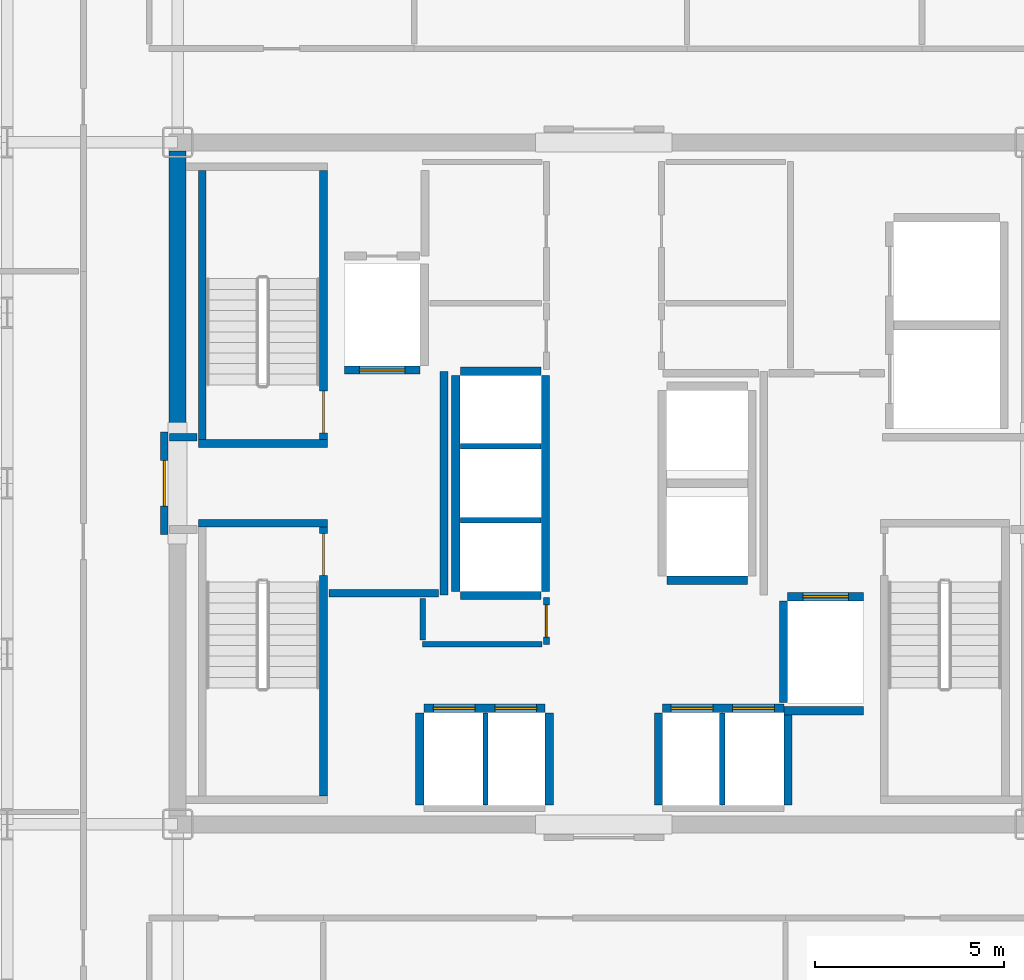
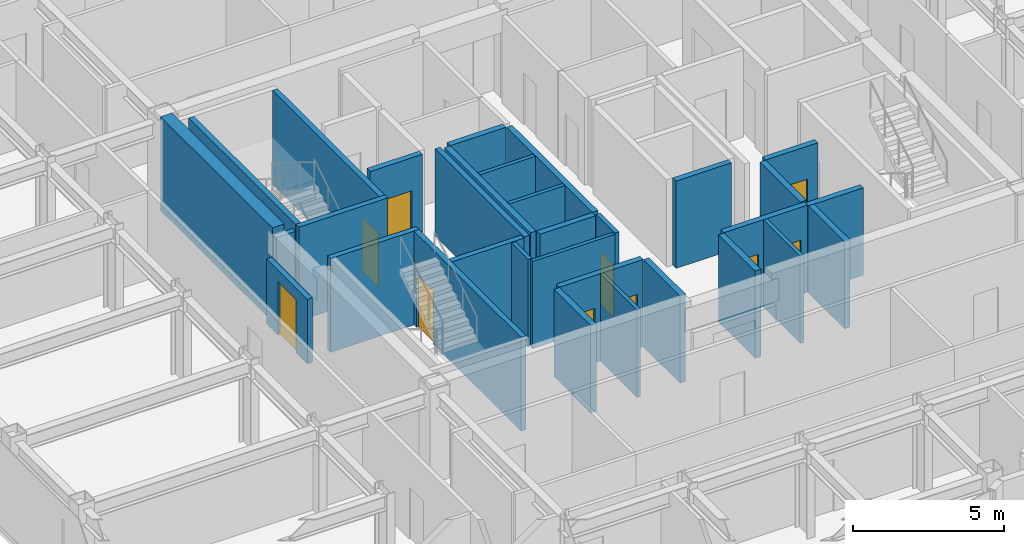
# One storey, part 15 of 21: 32 walls, 10 doors, 10 openings.
"""IFC4 building model written with IfcOpenShell, lengths in metres."""

from ifc_helpers import new_model, si_unit, direction, frame, frame_2d, origin, place, context, subcontext, project, spatial, rectangle, extrude, source, transform, mapped, material, layer, layer_set, type_object, element, fill, save


model = new_model("IFC4")

# Units and contexts
model_context = context("Model", 3, precision=1e-05, world=origin(), true_north=direction((0.0, 1.0)))
body_context = subcontext(model_context, "Body", "Model", "MODEL_VIEW")
ifc_project = project(units=[si_unit("LENGTHUNIT", "METRE"), si_unit("AREAUNIT", "SQUARE_METRE"), si_unit("VOLUMEUNIT", "CUBIC_METRE"), si_unit("PLANEANGLEUNIT", "RADIAN"), si_unit("MASSUNIT", "GRAM", prefix="KILO")], contexts=[model_context])

# Site, building, storey
site_placement = place(None, origin())
site = spatial("IfcSite", under=ifc_project, at=site_placement, CompositionType="ELEMENT")
building_placement = place(site_placement, origin())
building = spatial("IfcBuilding", under=site, at=building_placement, Name="Nefas-Gora Pilgrimage Tower", CompositionType="ELEMENT")
storey_placement = place(building_placement, frame((0.0, 0.0, 248.39990234375)))
storey = spatial("IfcBuildingStorey", under=building, at=storey_placement, Name="L62", CompositionType="ELEMENT", Elevation=248.39990234375)

# Walls
ifc_material_1 = material(Name="Concrete C50/60", Category="concrete")
ifc_layer_1 = layer(ifc_material_1, 0.449951171875)
ifc_layer_set_1 = layer_set([ifc_layer_1], Name="Concrete C50/60")
wall_type_1 = type_object("IfcWallType", Name="SW-CORE-450", PredefinedType="SHEAR", material=ifc_layer_set_1)
shared_shape_1 = source(origin(), body_context, "Body", "SweptSolid", [
    extrude(rectangle(XDim=7.4248046875, YDim=0.449951171875, at=frame_2d((3.71240234375, 0.0))), origin(), (0.0, 0.0, 1.0), 3.800048828125),
])
wall_1_placement = place(storey_placement, frame((-11.25, 1.35009765625, 0.0), z_axis=(0.0, 0.0, 1.0), x_axis=(0.0, 1.0, 0.0)))
element("IfcWall", 1, at=wall_1_placement, inside=storey, type_object=wall_type_1, Name="L62 Core Shear Wall W-North", PredefinedType="SHEAR", context=body_context, shape_type="MappedRepresentation", body=[
    mapped(shared_shape_1, transform((0.0, 0.0, 0.0), x_axis=(1.0, 0.0, 0.0), y_axis=(0.0, 1.0, 0.0), z_axis=(0.0, 0.0, 1.0), scale=1.0)),
])
ifc_material_2 = material(Name="Concrete C45/55", Category="concrete")
ifc_layer_2 = layer(ifc_material_2, 0.199951171875)
ifc_layer_set_2 = layer_set([ifc_layer_2], Name="Concrete C45/55")
wall_type_2 = type_object("IfcWallType", Name="IW-STAIR-200", PredefinedType="SOLIDWALL", material=ifc_layer_set_2)
shared_shape_2 = source(origin(), body_context, "Body", "SweptSolid", [
    extrude(rectangle(XDim=3.39990234375, YDim=0.199951171875, at=frame_2d((1.699951171875, 0.0))), origin(), (0.0, 0.0, 1.0), 3.800048828125),
])
for number, where, z_axis, x_axis, name in (
    (2, (-7.300048828125, 1.050048828125, 0.0), (0.0, 0.0, 1.0), (-1.0, 0.0, 0.0), "L62 Stairwell Shear Wall ST-01-near"),
    (3, (-10.699951171875, -1.050048828125, 0.0), (0.0, 0.0, 1.0), (1.0, 0.0, 0.0), "L62 Stairwell Shear Wall ST-03-near"),
):
    element("IfcWall", number, at=place(storey_placement, frame(where, z_axis=z_axis, x_axis=x_axis)), inside=storey, type_object=wall_type_2, Name=name, PredefinedType="SOLIDWALL", context=body_context, shape_type="MappedRepresentation", body=[
        mapped(shared_shape_2, transform((0.0, 0.0, 0.0), x_axis=(1.0, 0.0, 0.0), y_axis=(0.0, 1.0, 0.0), z_axis=(0.0, 0.0, 1.0), scale=1.0)),
    ])

# Wall, opening, door
shared_shape_3 = source(origin(), body_context, "Body", "SweptSolid", [
    extrude(rectangle(XDim=7.10009765625, YDim=0.199951171875, at=frame_2d((3.550048828125, 0.0))), origin(), (0.0, 0.0, 1.0), 3.800048828125),
])
wall_2_placement = place(storey_placement, frame((-7.39990234375, 1.14990234375, 0.0), z_axis=(0.0, 0.0, 1.0), x_axis=(0.0, 1.0, 0.0)))
wall_2 = element("IfcWall", 4, at=wall_2_placement, inside=storey, type_object=wall_type_2, Name="L62 Stairwell Shear Wall ST-01-left", PredefinedType="SOLIDWALL", context=body_context, shape_type="MappedRepresentation", body=[
    mapped(shared_shape_3, transform((0.0, 0.0, 0.0), x_axis=(1.0, 0.0, 0.0), y_axis=(0.0, 1.0, 0.0), z_axis=(0.0, 0.0, 1.0), scale=1.0)),
])
opening_1_placement = place(wall_2_placement, frame((0.179931640625, 0.0, 0.0)))
opening_1 = element("IfcOpeningElement", 5, at=opening_1_placement, cuts=wall_2, Name="Opening ID-ST1", PredefinedType="OPENING", context=body_context, shape_type="SweptSolid", body=[
    extrude(rectangle(XDim=1.10009765625, YDim=2.14990234375, at=frame_2d((0.550048828125, 1.074951171875))), frame((0.0, 0.10986328125, 0.0), z_axis=(0.0, -1.0, 0.0), x_axis=(1.0, 0.0, 0.0)), (0.0, 0.0, 1.0), 0.219970703125),
])
ifc_material_3 = material(Name="Painted galvanised steel fire stair door", Category="steel")
door_type_1 = type_object("IfcDoorType", Name="DR-INT-STAIR-1100", OperationType="NOTDEFINED", PredefinedType="DOOR", material=ifc_material_3)
shared_shape_4 = source(origin(), body_context, "Body", "SweptSolid", [
    extrude(rectangle(XDim=1.10009765625, YDim=2.14990234375, at=frame_2d((0.550048828125, 1.074951171875))), frame((0.0, 0.02490234375, 0.0), z_axis=(0.0, -1.0, 0.0), x_axis=(1.0, 0.0, 0.0)), (0.0, 0.0, 1.0), 0.050048828125),
])
door_1_placement = place(opening_1_placement, origin())
door_1 = element("IfcDoor", 6, at=door_1_placement, inside=storey, type_object=door_type_1, Name="L62 Protected Exit Stair Door ST-01", OperationType="SINGLE_SWING_RIGHT", OverallHeight=2.14990234375, OverallWidth=1.10009765625, PredefinedType="DOOR", context=body_context, shape_type="MappedRepresentation", body=[
    mapped(shared_shape_4, transform((0.0, 0.0, 0.0), x_axis=(1.0, 0.0, 0.0), y_axis=(0.0, 1.0, 0.0), z_axis=(0.0, 0.0, 1.0), scale=1.0)),
])
fill(opening_1, door_1)

# Wall
wall_3_placement = place(storey_placement, frame((-10.60009765625, 1.14990234375, 0.0), z_axis=(0.0, 0.0, 1.0), x_axis=(0.0, 1.0, 0.0)))
element("IfcWall", 7, at=wall_3_placement, inside=storey, type_object=wall_type_2, Name="L62 Stairwell Shear Wall ST-01-right", PredefinedType="SOLIDWALL", context=body_context, shape_type="MappedRepresentation", body=[
    mapped(shared_shape_3, transform((0.0, 0.0, 0.0), x_axis=(1.0, 0.0, 0.0), y_axis=(0.0, 1.0, 0.0), z_axis=(0.0, 0.0, 1.0), scale=1.0)),
])

# Wall, opening, door
wall_4_placement = place(storey_placement, frame((-7.39990234375, -1.14990234375, 0.0), z_axis=(0.0, 0.0, 1.0), x_axis=(0.0, -1.0, 0.0)))
wall_4 = element("IfcWall", 8, at=wall_4_placement, inside=storey, type_object=wall_type_2, Name="L62 Stairwell Shear Wall ST-03-right", PredefinedType="SOLIDWALL", context=body_context, shape_type="MappedRepresentation", body=[
    mapped(shared_shape_3, transform((0.0, 0.0, 0.0), x_axis=(1.0, 0.0, 0.0), y_axis=(0.0, 1.0, 0.0), z_axis=(0.0, 0.0, 1.0), scale=1.0)),
])
opening_2_placement = place(wall_4_placement, frame((0.179931640625, 0.0, 0.0)))
opening_2 = element("IfcOpeningElement", 9, at=opening_2_placement, cuts=wall_4, Name="Opening ID-ST1", PredefinedType="OPENING", context=body_context, shape_type="SweptSolid", body=[
    extrude(rectangle(XDim=1.10009765625, YDim=2.14990234375, at=frame_2d((0.550048828125, 1.074951171875))), frame((0.0, 0.10986328125, 0.0), z_axis=(0.0, -1.0, 0.0), x_axis=(1.0, 0.0, 0.0)), (0.0, 0.0, 1.0), 0.219970703125),
])
door_2_placement = place(opening_2_placement, origin())
door_2 = element("IfcDoor", 10, at=door_2_placement, inside=storey, type_object=door_type_1, Name="L62 Protected Exit Stair Door ST-03", OperationType="SINGLE_SWING_RIGHT", OverallHeight=2.14990234375, OverallWidth=1.10009765625, PredefinedType="DOOR", context=body_context, shape_type="MappedRepresentation", body=[
    mapped(shared_shape_4, transform((0.0, 0.0, 0.0), x_axis=(1.0, 0.0, 0.0), y_axis=(0.0, 1.0, 0.0), z_axis=(0.0, 0.0, 1.0), scale=1.0)),
])
fill(opening_2, door_2)

ifc_material_4 = material(Name="Concrete C40/50", Category="concrete")
ifc_layer_3 = layer(ifc_material_4, 0.219970703125)
ifc_layer_set_3 = layer_set([ifc_layer_3], Name="Concrete C40/50")
wall_type_3 = type_object("IfcWallType", Name="IW-SHAFT-220", PredefinedType="SOLIDWALL", material=ifc_layer_set_3)
shared_shape_5 = source(origin(), body_context, "Body", "SweptSolid", [
    extrude(rectangle(XDim=2.0, YDim=0.219970703125, at=frame_2d((1.0, 0.0))), origin(), (0.0, 0.0, 1.0), 3.53515625),
])
wall_5_placement = place(storey_placement, frame((-6.85009765625, 2.989990234375, 0.0), z_axis=(0.0, 0.0, 1.0), x_axis=(1.0, 0.0, 0.0)))
wall_5 = element("IfcWall", 11, at=wall_5_placement, inside=storey, type_object=wall_type_3, Name="L62 Hoistway Wall FFL-01-S", PredefinedType="SOLIDWALL", context=body_context, shape_type="MappedRepresentation", body=[
    mapped(shared_shape_5, transform((0.0, 0.0, 0.0), x_axis=(1.0, 0.0, 0.0), y_axis=(0.0, 1.0, 0.0), z_axis=(0.0, 0.0, 1.0), scale=1.0)),
])
opening_3_placement = place(wall_5_placement, frame((0.39990234375, 0.0, 0.0)))
opening_3 = element("IfcOpeningElement", 12, at=opening_3_placement, cuts=wall_5, Name="Opening LD-FF", PredefinedType="OPENING", context=body_context, shape_type="SweptSolid", body=[
    extrude(rectangle(XDim=1.199951171875, YDim=2.199951171875, at=frame_2d((0.60009765625, 1.10009765625))), frame((0.0, 0.119873046875, 0.0), z_axis=(0.0, -1.0, 0.0), x_axis=(1.0, 0.0, 0.0)), (0.0, 0.0, 1.0), 0.239990234375),
])
ifc_material_5 = material(Name="Fire-service sliding lift landing door")
door_type_2 = type_object("IfcDoorType", Name="DR-LIFT-FSAE-1200", OperationType="SLIDING_TO_LEFT", PredefinedType="DOOR", material=ifc_material_5)
shared_shape_6 = source(origin(), body_context, "Body", "SweptSolid", [
    extrude(rectangle(XDim=1.199951171875, YDim=2.199951171875, at=frame_2d((0.60009765625, 1.10009765625))), frame((0.0, 0.02490234375, 0.0), z_axis=(0.0, -1.0, 0.0), x_axis=(1.0, 0.0, 0.0)), (0.0, 0.0, 1.0), 0.050048828125),
])
door_3_placement = place(opening_3_placement, origin())
door_3 = element("IfcDoor", 13, at=door_3_placement, inside=storey, type_object=door_type_2, Name="L62 Sliding Lift Landing Door FFL-01", OperationType="SLIDING_TO_LEFT", OverallHeight=2.199951171875, OverallWidth=1.199951171875, PredefinedType="DOOR", context=body_context, shape_type="MappedRepresentation", body=[
    mapped(shared_shape_6, transform((0.0, 0.0, 0.0), x_axis=(1.0, 0.0, 0.0), y_axis=(0.0, 1.0, 0.0), z_axis=(0.0, 0.0, 1.0), scale=1.0)),
])
fill(opening_3, door_3)

wall_6_placement = place(storey_placement, frame((6.85009765625, -2.989990234375, 0.0), z_axis=(0.0, 0.0, 1.0), x_axis=(-1.0, 0.0, 0.0)))
wall_6 = element("IfcWall", 14, at=wall_6_placement, inside=storey, type_object=wall_type_3, Name="L62 Hoistway Wall FFL-02-N", PredefinedType="SOLIDWALL", context=body_context, shape_type="MappedRepresentation", body=[
    mapped(shared_shape_5, transform((0.0, 0.0, 0.0), x_axis=(1.0, 0.0, 0.0), y_axis=(0.0, 1.0, 0.0), z_axis=(0.0, 0.0, 1.0), scale=1.0)),
])
opening_4_placement = place(wall_6_placement, frame((0.39990234375, 0.0, 0.0)))
opening_4 = element("IfcOpeningElement", 15, at=opening_4_placement, cuts=wall_6, Name="Opening LD-FF", PredefinedType="OPENING", context=body_context, shape_type="SweptSolid", body=[
    extrude(rectangle(XDim=1.199951171875, YDim=2.199951171875, at=frame_2d((0.60009765625, 1.10009765625))), frame((0.0, 0.119873046875, 0.0), z_axis=(0.0, -1.0, 0.0), x_axis=(1.0, 0.0, 0.0)), (0.0, 0.0, 1.0), 0.239990234375),
])
door_4_placement = place(opening_4_placement, origin())
door_4 = element("IfcDoor", 16, at=door_4_placement, inside=storey, type_object=door_type_2, Name="L62 Sliding Lift Landing Door FFL-02", OperationType="SLIDING_TO_LEFT", OverallHeight=2.199951171875, OverallWidth=1.199951171875, PredefinedType="DOOR", context=body_context, shape_type="MappedRepresentation", body=[
    mapped(shared_shape_6, transform((0.0, 0.0, 0.0), x_axis=(1.0, 0.0, 0.0), y_axis=(0.0, 1.0, 0.0), z_axis=(0.0, 0.0, 1.0), scale=1.0)),
])
fill(opening_4, door_4)

# Wall
shared_shape_7 = source(origin(), body_context, "Body", "SweptSolid", [
    extrude(rectangle(XDim=2.679931640625, YDim=0.219970703125, at=frame_2d((1.33984375, 0.0))), origin(), (0.0, 0.0, 1.0), 3.53515625),
])
wall_7_placement = place(storey_placement, frame((4.739990234375, -3.110107421875, 0.0), z_axis=(0.0, 0.0, 1.0), x_axis=(0.0, -1.0, 0.0)))
element("IfcWall", 17, at=wall_7_placement, inside=storey, type_object=wall_type_3, Name="L62 Hoistway Wall FFL-02-W", PredefinedType="SOLIDWALL", context=body_context, shape_type="MappedRepresentation", body=[
    mapped(shared_shape_7, transform((0.0, 0.0, 0.0), x_axis=(1.0, 0.0, 0.0), y_axis=(0.0, 1.0, 0.0), z_axis=(0.0, 0.0, 1.0), scale=1.0)),
])

# Wall, openings, doors
shared_shape_8 = source(origin(), body_context, "Body", "SweptSolid", [
    extrude(rectangle(XDim=3.199951171875, YDim=0.219970703125, at=frame_2d((1.60009765625, 0.0))), origin(), (0.0, 0.0, 1.0), 3.53515625),
])
wall_8_placement = place(storey_placement, frame((-1.550048828125, -5.93994140625, 0.0), z_axis=(0.0, 0.0, 1.0), x_axis=(-1.0, 0.0, 0.0)))
wall_8 = element("IfcWall", 18, at=wall_8_placement, inside=storey, type_object=wall_type_3, Name="L62 Hoistway Wall PL2-W-N", PredefinedType="SOLIDWALL", context=body_context, shape_type="MappedRepresentation", body=[
    mapped(shared_shape_8, transform((0.0, 0.0, 0.0), x_axis=(1.0, 0.0, 0.0), y_axis=(0.0, 1.0, 0.0), z_axis=(0.0, 0.0, 1.0), scale=1.0)),
])
opening_5_placement = place(wall_8_placement, frame((1.85009765625, 0.0, 0.0)))
opening_5 = element("IfcOpeningElement", 19, at=opening_5_placement, cuts=wall_8, Name="Opening LD-01", PredefinedType="OPENING", context=body_context, shape_type="SweptSolid", body=[
    extrude(rectangle(XDim=1.10009765625, YDim=2.199951171875, at=frame_2d((0.550048828125, 1.10009765625))), frame((0.0, 0.119873046875, 0.0), z_axis=(0.0, -1.0, 0.0), x_axis=(1.0, 0.0, 0.0)), (0.0, 0.0, 1.0), 0.239990234375),
])
opening_6_placement = place(wall_8_placement, frame((0.22509765625, 0.0, 0.0)))
opening_6 = element("IfcOpeningElement", 20, at=opening_6_placement, cuts=wall_8, Name="Opening LD-01", PredefinedType="OPENING", context=body_context, shape_type="SweptSolid", body=[
    extrude(rectangle(XDim=1.10009765625, YDim=2.199951171875, at=frame_2d((0.550048828125, 1.10009765625))), frame((0.0, 0.119873046875, 0.0), z_axis=(0.0, -1.0, 0.0), x_axis=(1.0, 0.0, 0.0)), (0.0, 0.0, 1.0), 0.239990234375),
])
ifc_material_6 = material(Name="Brushed stainless sliding lift landing door")
door_type_3 = type_object("IfcDoorType", Name="DR-LIFT-PASS-1100", OperationType="DOUBLE_DOOR_SLIDING", PredefinedType="DOOR", material=ifc_material_6)
shared_shape_9 = source(origin(), body_context, "Body", "SweptSolid", [
    extrude(rectangle(XDim=1.10009765625, YDim=2.199951171875, at=frame_2d((0.550048828125, 1.10009765625))), frame((0.0, 0.02490234375, 0.0), z_axis=(0.0, -1.0, 0.0), x_axis=(1.0, 0.0, 0.0)), (0.0, 0.0, 1.0), 0.050048828125),
])
door_5_placement = place(opening_5_placement, origin())
door_5 = element("IfcDoor", 21, at=door_5_placement, inside=storey, type_object=door_type_3, Name="L62 Sliding Lift Landing Door PL2-01", OperationType="DOUBLE_DOOR_SLIDING", OverallHeight=2.199951171875, OverallWidth=1.10009765625, PredefinedType="DOOR", context=body_context, shape_type="MappedRepresentation", body=[
    mapped(shared_shape_9, transform((0.0, 0.0, 0.0), x_axis=(1.0, 0.0, 0.0), y_axis=(0.0, 1.0, 0.0), z_axis=(0.0, 0.0, 1.0), scale=1.0)),
])
fill(opening_5, door_5)
door_6_placement = place(opening_6_placement, origin())
door_6 = element("IfcDoor", 22, at=door_6_placement, inside=storey, type_object=door_type_3, Name="L62 Sliding Lift Landing Door PL2-02", OperationType="DOUBLE_DOOR_SLIDING", OverallHeight=2.199951171875, OverallWidth=1.10009765625, PredefinedType="DOOR", context=body_context, shape_type="MappedRepresentation", body=[
    mapped(shared_shape_9, transform((0.0, 0.0, 0.0), x_axis=(1.0, 0.0, 0.0), y_axis=(0.0, 1.0, 0.0), z_axis=(0.0, 0.0, 1.0), scale=1.0)),
])
fill(opening_6, door_6)

wall_9_placement = place(storey_placement, frame((4.75, -5.93994140625, 0.0), z_axis=(0.0, 0.0, 1.0), x_axis=(-1.0, 0.0, 0.0)))
wall_9 = element("IfcWall", 23, at=wall_9_placement, inside=storey, type_object=wall_type_3, Name="L62 Hoistway Wall PL2-E-N", PredefinedType="SOLIDWALL", context=body_context, shape_type="MappedRepresentation", body=[
    mapped(shared_shape_8, transform((0.0, 0.0, 0.0), x_axis=(1.0, 0.0, 0.0), y_axis=(0.0, 1.0, 0.0), z_axis=(0.0, 0.0, 1.0), scale=1.0)),
])
opening_7_placement = place(wall_9_placement, frame((1.875, 0.0, 0.0)))
opening_7 = element("IfcOpeningElement", 24, at=opening_7_placement, cuts=wall_9, Name="Opening LD-01", PredefinedType="OPENING", context=body_context, shape_type="SweptSolid", body=[
    extrude(rectangle(XDim=1.10009765625, YDim=2.199951171875, at=frame_2d((0.550048828125, 1.10009765625))), frame((0.0, 0.119873046875, 0.0), z_axis=(0.0, -1.0, 0.0), x_axis=(1.0, 0.0, 0.0)), (0.0, 0.0, 1.0), 0.239990234375),
])
opening_8_placement = place(wall_9_placement, frame((0.25, 0.0, 0.0)))
opening_8 = element("IfcOpeningElement", 25, at=opening_8_placement, cuts=wall_9, Name="Opening LD-01", PredefinedType="OPENING", context=body_context, shape_type="SweptSolid", body=[
    extrude(rectangle(XDim=1.10009765625, YDim=2.199951171875, at=frame_2d((0.550048828125, 1.10009765625))), frame((0.0, 0.119873046875, 0.0), z_axis=(0.0, -1.0, 0.0), x_axis=(1.0, 0.0, 0.0)), (0.0, 0.0, 1.0), 0.239990234375),
])
door_7_placement = place(opening_7_placement, origin())
door_7 = element("IfcDoor", 26, at=door_7_placement, inside=storey, type_object=door_type_3, Name="L62 Sliding Lift Landing Door PL2-03", OperationType="DOUBLE_DOOR_SLIDING", OverallHeight=2.199951171875, OverallWidth=1.10009765625, PredefinedType="DOOR", context=body_context, shape_type="MappedRepresentation", body=[
    mapped(shared_shape_9, transform((0.0, 0.0, 0.0), x_axis=(1.0, 0.0, 0.0), y_axis=(0.0, 1.0, 0.0), z_axis=(0.0, 0.0, 1.0), scale=1.0)),
])
fill(opening_7, door_7)
door_8_placement = place(opening_8_placement, origin())
door_8 = element("IfcDoor", 27, at=door_8_placement, inside=storey, type_object=door_type_3, Name="L62 Sliding Lift Landing Door PL2-04", OperationType="DOUBLE_DOOR_SLIDING", OverallHeight=2.199951171875, OverallWidth=1.10009765625, PredefinedType="DOOR", context=body_context, shape_type="MappedRepresentation", body=[
    mapped(shared_shape_9, transform((0.0, 0.0, 0.0), x_axis=(1.0, 0.0, 0.0), y_axis=(0.0, 1.0, 0.0), z_axis=(0.0, 0.0, 1.0), scale=1.0)),
])
fill(opening_8, door_8)

# Walls
shared_shape_10 = source(origin(), body_context, "Body", "SweptSolid", [
    extrude(rectangle(XDim=2.429931640625, YDim=0.219970703125, at=frame_2d((1.21484375, 0.0))), origin(), (0.0, 0.0, 1.0), 3.53515625),
])
for number, where, z_axis, x_axis, name in (
    (28, (-4.860107421875, -6.06005859375, 0.0), (0.0, 0.0, 1.0), (0.0, -1.0, 0.0), "L62 Hoistway Wall PL2-W-W"),
    (29, (-1.43994140625, -8.489990234375, 0.0), (0.0, 0.0, 1.0), (0.0, 1.0, 0.0), "L62 Hoistway Wall PL2-W-E"),
    (30, (1.43994140625, -6.06005859375, 0.0), (0.0, 0.0, 1.0), (0.0, -1.0, 0.0), "L62 Hoistway Wall PL2-E-W"),
    (31, (4.860107421875, -8.489990234375, 0.0), (0.0, 0.0, 1.0), (0.0, 1.0, 0.0), "L62 Hoistway Wall PL2-E-E"),
):
    element("IfcWall", number, at=place(storey_placement, frame(where, z_axis=z_axis, x_axis=x_axis)), inside=storey, type_object=wall_type_3, Name=name, PredefinedType="SOLIDWALL", context=body_context, shape_type="MappedRepresentation", body=[
        mapped(shared_shape_10, transform((0.0, 0.0, 0.0), x_axis=(1.0, 0.0, 0.0), y_axis=(0.0, 1.0, 0.0), z_axis=(0.0, 0.0, 1.0), scale=1.0)),
    ])
ifc_material_7 = material(Name="Gypsum twin-stud partition")
ifc_layer_4 = layer(ifc_material_7, 0.139892578125)
ifc_layer_set_4 = layer_set([ifc_layer_4], Name="Gypsum twin-stud partition")
wall_type_4 = type_object("IfcWallType", Name="IW-UNIT-140", PredefinedType="PARTITIONING", material=ifc_layer_set_4)
shared_shape_11 = source(origin(), body_context, "Body", "SweptSolid", [
    extrude(rectangle(XDim=2.429931640625, YDim=0.139892578125, at=frame_2d((1.21484375, 0.0))), origin(), (0.0, 0.0, 1.0), 3.53515625),
])
for number, where, z_axis, x_axis, name in (
    (32, (-3.125, -8.489990234375, 0.0), (0.0, 0.0, 1.0), (0.0, 1.0, 0.0), "L62 Hoistway Wall PL2-W-DIV"),
    (33, (3.125, -8.489990234375, 0.0), (0.0, 0.0, 1.0), (0.0, 1.0, 0.0), "L62 Hoistway Wall PL2-E-DIV"),
):
    element("IfcWall", number, at=place(storey_placement, frame(where, z_axis=z_axis, x_axis=x_axis)), inside=storey, type_object=wall_type_4, Name=name, PredefinedType="PARTITIONING", context=body_context, shape_type="MappedRepresentation", body=[
        mapped(shared_shape_11, transform((0.0, 0.0, 0.0), x_axis=(1.0, 0.0, 0.0), y_axis=(0.0, 1.0, 0.0), z_axis=(0.0, 0.0, 1.0), scale=1.0)),
    ])
shared_shape_12 = source(origin(), body_context, "Body", "SweptSolid", [
    extrude(rectangle(XDim=5.7001953125, YDim=0.219970703125, at=frame_2d((2.85009765625, 0.0))), origin(), (0.0, 0.0, 1.0), 3.53515625),
])
for number, where, z_axis, x_axis, name in (
    (34, (-1.5400390625, -2.85009765625, 0.0), (0.0, 0.0, 1.0), (0.0, 1.0, 0.0), "L62 Hoistway Wall PL3-01-03-E"),
    (35, (-3.909912109375, 2.85009765625, 0.0), (0.0, 0.0, 1.0), (0.0, -1.0, 0.0), "L62 Hoistway Wall PL3-01-03-W"),
):
    element("IfcWall", number, at=place(storey_placement, frame(where, z_axis=z_axis, x_axis=x_axis)), inside=storey, type_object=wall_type_3, Name=name, PredefinedType="SOLIDWALL", context=body_context, shape_type="MappedRepresentation", body=[
        mapped(shared_shape_12, transform((0.0, 0.0, 0.0), x_axis=(1.0, 0.0, 0.0), y_axis=(0.0, 1.0, 0.0), z_axis=(0.0, 0.0, 1.0), scale=1.0)),
    ])
shared_shape_13 = source(origin(), body_context, "Body", "SweptSolid", [
    extrude(rectangle(XDim=2.130126953125, YDim=0.219970703125, at=frame_2d((1.06494140625, 0.0))), origin(), (0.0, 0.0, 1.0), 3.53515625),
])
for number, where, z_axis, x_axis, name in (
    (36, (-3.7900390625, -2.9599609375, 0.0), (0.0, 0.0, 1.0), (1.0, 0.0, 0.0), "L62 Hoistway Wall PL3-01-S"),
    (37, (-1.659912109375, 2.9599609375, 0.0), (0.0, 0.0, 1.0), (-1.0, 0.0, 0.0), "L62 Hoistway Wall PL3-03-N"),
    (38, (1.659912109375, -2.56005859375, 0.0), (0.0, 0.0, 1.0), (1.0, 0.0, 0.0), "L62 Hoistway Wall OBS-01-S"),
):
    element("IfcWall", number, at=place(storey_placement, frame(where, z_axis=z_axis, x_axis=x_axis)), inside=storey, type_object=wall_type_3, Name=name, PredefinedType="SOLIDWALL", context=body_context, shape_type="MappedRepresentation", body=[
        mapped(shared_shape_13, transform((0.0, 0.0, 0.0), x_axis=(1.0, 0.0, 0.0), y_axis=(0.0, 1.0, 0.0), z_axis=(0.0, 0.0, 1.0), scale=1.0)),
    ])
shared_shape_14 = source(origin(), body_context, "Body", "SweptSolid", [
    extrude(rectangle(XDim=2.130126953125, YDim=0.139892578125, at=frame_2d((1.06494140625, 0.0))), origin(), (0.0, 0.0, 1.0), 3.53515625),
])
for number, where, z_axis, x_axis, name in (
    (39, (-3.7900390625, -0.97509765625, 0.0), (0.0, 0.0, 1.0), (1.0, 0.0, 0.0), "L62 Hoistway Wall PL3-01-02-DIV"),
    (40, (-3.7900390625, 0.97509765625, 0.0), (0.0, 0.0, 1.0), (1.0, 0.0, 0.0), "L62 Hoistway Wall PL3-02-03-DIV"),
):
    element("IfcWall", number, at=place(storey_placement, frame(where, z_axis=z_axis, x_axis=x_axis)), inside=storey, type_object=wall_type_4, Name=name, PredefinedType="PARTITIONING", context=body_context, shape_type="MappedRepresentation", body=[
        mapped(shared_shape_14, transform((0.0, 0.0, 0.0), x_axis=(1.0, 0.0, 0.0), y_axis=(0.0, 1.0, 0.0), z_axis=(0.0, 0.0, 1.0), scale=1.0)),
    ])
shared_shape_15 = source(origin(), body_context, "Body", "SweptSolid", [
    extrude(rectangle(XDim=2.09521484375, YDim=0.219970703125, at=frame_2d((1.047607421875, 0.0))), origin(), (0.0, 0.0, 1.0), 3.53515625),
])
wall_10_placement = place(storey_placement, frame((4.7548828125, -6.0, 0.0), z_axis=(0.0, 0.0, 1.0), x_axis=(1.0, 0.0, 0.0)))
element("IfcWall", 41, at=wall_10_placement, inside=storey, type_object=wall_type_3, Name="L62 Riser Shaft Wall 3", PredefinedType="SOLIDWALL", context=body_context, shape_type="MappedRepresentation", body=[
    mapped(shared_shape_15, transform((0.0, 0.0, 0.0), x_axis=(1.0, 0.0, 0.0), y_axis=(0.0, 1.0, 0.0), z_axis=(0.0, 0.0, 1.0), scale=1.0)),
])
ifc_material_8 = material(Name="Gypsum fire-rated shaftwall")
ifc_layer_5 = layer(ifc_material_8, 0.199951171875)
ifc_layer_set_5 = layer_set([ifc_layer_5], Name="Gypsum fire-rated shaftwall")
wall_type_5 = type_object("IfcWallType", Name="IW-FFLOB-200", PredefinedType="PARTITIONING", material=ifc_layer_set_5)
shared_shape_16 = source(origin(), body_context, "Body", "SweptSolid", [
    extrude(rectangle(XDim=5.89990234375, YDim=0.199951171875, at=frame_2d((2.949951171875, 0.0))), origin(), (0.0, 0.0, 1.0), 3.53515625),
])
wall_11_placement = place(storey_placement, frame((-4.219970703125, -2.949951171875, 0.0), z_axis=(0.0, 0.0, 1.0), x_axis=(0.0, 1.0, 0.0)))
element("IfcWall", 42, at=wall_11_placement, inside=storey, type_object=wall_type_5, Name="L62 FF Lobby West Inner Wall Wall 5", PredefinedType="PARTITIONING", context=body_context, shape_type="MappedRepresentation", body=[
    mapped(shared_shape_16, transform((0.0, 0.0, 0.0), x_axis=(1.0, 0.0, 0.0), y_axis=(0.0, 1.0, 0.0), z_axis=(0.0, 0.0, 1.0), scale=1.0)),
])
shared_shape_17 = source(origin(), body_context, "Body", "SweptSolid", [
    extrude(rectangle(XDim=2.89990234375, YDim=0.199951171875, at=frame_2d((1.449951171875, 0.0))), origin(), (0.0, 0.0, 1.0), 3.53515625),
])
wall_12_placement = place(storey_placement, frame((-7.260009765625, -2.89990234375, 0.0), z_axis=(0.0, 0.0, 1.0), x_axis=(1.0, 0.0, 0.0)))
element("IfcWall", 43, at=wall_12_placement, inside=storey, type_object=wall_type_5, Name="L62 FF Lobby West South Wall Wall 6", PredefinedType="PARTITIONING", context=body_context, shape_type="MappedRepresentation", body=[
    mapped(shared_shape_17, transform((0.0, 0.0, 0.0), x_axis=(1.0, 0.0, 0.0), y_axis=(0.0, 1.0, 0.0), z_axis=(0.0, 0.0, 1.0), scale=1.0)),
])
shared_shape_18 = source(origin(), body_context, "Body", "SweptSolid", [
    extrude(rectangle(XDim=0.719970703125, YDim=0.199951171875, at=frame_2d((0.35986328125, 0.0))), origin(), (0.0, 0.0, 1.0), 3.53515625),
])
wall_13_placement = place(storey_placement, frame((-11.4599609375, 1.219970703125, 0.0), z_axis=(0.0, 0.0, 1.0), x_axis=(1.0, 0.0, 0.0)))
element("IfcWall", 44, at=wall_13_placement, inside=storey, type_object=wall_type_5, Name="L62 FF Lobby West Throat N Wall 7", PredefinedType="PARTITIONING", context=body_context, shape_type="MappedRepresentation", body=[
    mapped(shared_shape_18, transform((0.0, 0.0, 0.0), x_axis=(1.0, 0.0, 0.0), y_axis=(0.0, 1.0, 0.0), z_axis=(0.0, 0.0, 1.0), scale=1.0)),
])
shared_shape_19 = source(origin(), body_context, "Body", "SweptSolid", [
    extrude(rectangle(XDim=3.150146484375, YDim=0.139892578125, at=frame_2d((1.5751953125, 0.0))), origin(), (0.0, 0.0, 1.0), 3.53515625),
])
wall_14_placement = place(storey_placement, frame((-4.7900390625, -4.25, 0.0), z_axis=(0.0, 0.0, 1.0), x_axis=(1.0, 0.0, 0.0)))
element("IfcWall", 45, at=wall_14_placement, inside=storey, type_object=wall_type_4, Name="L62 Guest Self-Service Laundry Room Partition Wall 27", PredefinedType="PARTITIONING", context=body_context, shape_type="MappedRepresentation", body=[
    mapped(shared_shape_19, transform((0.0, 0.0, 0.0), x_axis=(1.0, 0.0, 0.0), y_axis=(0.0, 1.0, 0.0), z_axis=(0.0, 0.0, 1.0), scale=1.0)),
])

# Wall, opening, door
ifc_material_9 = material(Name="Gypsum acoustic stud partition")
ifc_layer_6 = layer(ifc_material_9, 0.159912109375)
ifc_layer_set_6 = layer_set([ifc_layer_6], Name="Gypsum acoustic stud partition")
wall_type_6 = type_object("IfcWallType", Name="IW-CORR-160", PredefinedType="PARTITIONING", material=ifc_layer_set_6)
shared_shape_20 = source(origin(), body_context, "Body", "SweptSolid", [
    extrude(rectangle(XDim=1.25, YDim=0.159912109375, at=frame_2d((0.625, 0.0))), origin(), (0.0, 0.0, 1.0), 3.53515625),
])
wall_15_placement = place(storey_placement, frame((-1.52001953125, -4.260009765625, 0.0), z_axis=(0.0, 0.0, 1.0), x_axis=(0.0, 1.0, 0.0)))
wall_15 = element("IfcWall", 46, at=wall_15_placement, inside=storey, type_object=wall_type_6, Name="L62 Guest Self-Service Laundry Room Wall 26", PredefinedType="PARTITIONING", context=body_context, shape_type="MappedRepresentation", body=[
    mapped(shared_shape_20, transform((0.0, 0.0, 0.0), x_axis=(1.0, 0.0, 0.0), y_axis=(0.0, 1.0, 0.0), z_axis=(0.0, 0.0, 1.0), scale=1.0)),
])
opening_9_placement = place(wall_15_placement, frame((0.199951171875, 0.0, 0.0)))
opening_9 = element("IfcOpeningElement", 47, at=opening_9_placement, cuts=wall_15, Name="Opening ID-BT1", PredefinedType="OPENING", context=body_context, shape_type="SweptSolid", body=[
    extrude(rectangle(XDim=0.85009765625, YDim=2.10009765625, at=frame_2d((0.425048828125, 1.050048828125))), frame((0.0, 0.08984375, 0.0), z_axis=(0.0, -1.0, 0.0), x_axis=(1.0, 0.0, 0.0)), (0.0, 0.0, 1.0), 0.179931640625),
])
ifc_material_10 = material(Name="Moisture-resistant fire-rated timber door", Category="wood")
door_type_4 = type_object("IfcDoorType", Name="DR-INT-BATH-850", OperationType="NOTDEFINED", PredefinedType="DOOR", material=ifc_material_10)
shared_shape_21 = source(origin(), body_context, "Body", "SweptSolid", [
    extrude(rectangle(XDim=0.85009765625, YDim=2.10009765625, at=frame_2d((0.425048828125, 1.050048828125))), frame((0.0, 0.02490234375, 0.0), z_axis=(0.0, -1.0, 0.0), x_axis=(1.0, 0.0, 0.0)), (0.0, 0.0, 1.0), 0.050048828125),
])
door_9_placement = place(opening_9_placement, origin())
door_9 = element("IfcDoor", 48, at=door_9_placement, inside=storey, type_object=door_type_4, Name="L62 Guest Self-Service Laundry Room Door 11", OperationType="SINGLE_SWING_LEFT", OverallHeight=2.10009765625, OverallWidth=0.85009765625, PredefinedType="DOOR", context=body_context, shape_type="MappedRepresentation", body=[
    mapped(shared_shape_21, transform((0.0, 0.0, 0.0), x_axis=(1.0, 0.0, 0.0), y_axis=(0.0, 1.0, 0.0), z_axis=(0.0, 0.0, 1.0), scale=1.0)),
])
fill(opening_9, door_9)

# Wall
shared_shape_22 = source(origin(), body_context, "Body", "SweptSolid", [
    extrude(rectangle(XDim=1.099853515625, YDim=0.139892578125, at=frame_2d((0.5498046875, 0.0))), origin(), (0.0, 0.0, 1.0), 3.53515625),
])
wall_16_placement = place(storey_placement, frame((-4.780029296875, -4.139892578125, 0.0), z_axis=(0.0, 0.0, 1.0), x_axis=(0.0, 1.0, 0.0)))
element("IfcWall", 49, at=wall_16_placement, inside=storey, type_object=wall_type_4, Name="L62 Guest Self-Service Laundry Room Partition Wall 28", PredefinedType="PARTITIONING", context=body_context, shape_type="MappedRepresentation", body=[
    mapped(shared_shape_22, transform((0.0, 0.0, 0.0), x_axis=(1.0, 0.0, 0.0), y_axis=(0.0, 1.0, 0.0), z_axis=(0.0, 0.0, 1.0), scale=1.0)),
])

# Wall, opening, door
shared_shape_23 = source(origin(), body_context, "Body", "SweptSolid", [
    extrude(rectangle(XDim=2.7001953125, YDim=0.199951171875, at=frame_2d((1.35009765625, 0.0))), origin(), (0.0, 0.0, 1.0), 2.625),
])
wall_17_placement = place(storey_placement, frame((-11.60009765625, -1.35009765625, 0.0), z_axis=(0.0, 0.0, 1.0), x_axis=(0.0, 1.0, 0.0)))
wall_17 = element("IfcWall", 50, at=wall_17_placement, inside=storey, type_object=wall_type_5, Name="L62 FF Lobby West Portal Wall 4", PredefinedType="PARTITIONING", context=body_context, shape_type="MappedRepresentation", body=[
    mapped(shared_shape_23, transform((0.0, 0.0, 0.0), x_axis=(1.0, 0.0, 0.0), y_axis=(0.0, 1.0, 0.0), z_axis=(0.0, 0.0, 1.0), scale=1.0)),
])
opening_10_placement = place(wall_17_placement, frame((0.75, 0.0, 0.0)))
opening_10 = element("IfcOpeningElement", 51, at=opening_10_placement, cuts=wall_17, Name="Opening ID-FF1", PredefinedType="OPENING", context=body_context, shape_type="SweptSolid", body=[
    extrude(rectangle(XDim=1.199951171875, YDim=2.14990234375, at=frame_2d((0.60009765625, 1.074951171875))), frame((0.0, 0.10986328125, 0.0), z_axis=(0.0, -1.0, 0.0), x_axis=(1.0, 0.0, 0.0)), (0.0, 0.0, 1.0), 0.219970703125),
])
ifc_material_11 = material(Name="Smoke-sealed steel firefighting lobby door", Category="steel")
door_type_5 = type_object("IfcDoorType", Name="DR-INT-FFLOB-1200", OperationType="NOTDEFINED", PredefinedType="DOOR", material=ifc_material_11)
shared_shape_24 = source(origin(), body_context, "Body", "SweptSolid", [
    extrude(rectangle(XDim=1.199951171875, YDim=2.14990234375, at=frame_2d((0.60009765625, 1.074951171875))), frame((0.0, 0.02490234375, 0.0), z_axis=(0.0, -1.0, 0.0), x_axis=(1.0, 0.0, 0.0)), (0.0, 0.0, 1.0), 0.050048828125),
])
door_10_placement = place(opening_10_placement, origin())
door_10 = element("IfcDoor", 52, at=door_10_placement, inside=storey, type_object=door_type_5, Name="L62 FF Lobby West Portal Door 2", OperationType="SINGLE_SWING_RIGHT", OverallHeight=2.14990234375, OverallWidth=1.199951171875, PredefinedType="DOOR", context=body_context, shape_type="MappedRepresentation", body=[
    mapped(shared_shape_24, transform((0.0, 0.0, 0.0), x_axis=(1.0, 0.0, 0.0), y_axis=(0.0, 1.0, 0.0), z_axis=(0.0, 0.0, 1.0), scale=1.0)),
])
fill(opening_10, door_10)

save(model, "model.ifc")
